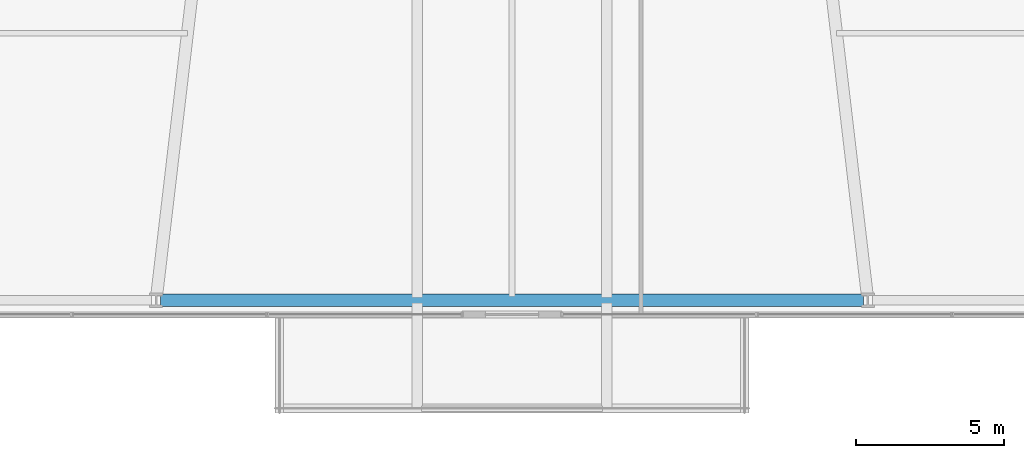
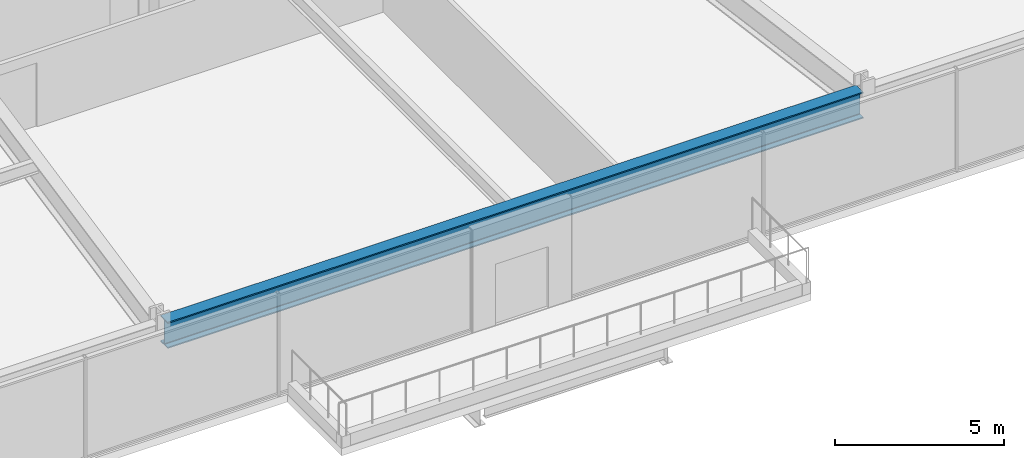
# One storey, part 6 of 39: 1 beam.
"""IFC4 building model written with IfcOpenShell, lengths in metres."""

from ifc_helpers import new_model, si_unit, direction, frame, origin, origin_2d, place, context, subcontext, project, spatial, i_section, extrude, material, material_profile, profile_set, type_object, element, save


model = new_model("IFC4")

# Units and contexts
model_context = context("Model", 3, precision=1e-05, world=origin(), true_north=direction((0.0, 1.0)))
body_context = subcontext(model_context, "Body", "Model", "MODEL_VIEW")
ifc_project = project(units=[si_unit("LENGTHUNIT", "METRE"), si_unit("AREAUNIT", "SQUARE_METRE"), si_unit("VOLUMEUNIT", "CUBIC_METRE"), si_unit("PLANEANGLEUNIT", "RADIAN"), si_unit("MASSUNIT", "GRAM", prefix="KILO")], contexts=[model_context])

# Site, building, storey
site_placement = place(None, origin())
site = spatial("IfcSite", under=ifc_project, at=site_placement, CompositionType="ELEMENT")
building_placement = place(site_placement, origin())
building = spatial("IfcBuilding", under=site, at=building_placement, Name="Kolvaren Belvedere", CompositionType="ELEMENT")
storey_placement = place(building_placement, frame((0.0, 0.0, 15.199951171875)))
storey = spatial("IfcBuildingStorey", under=building, at=storey_placement, Name="L04", CompositionType="ELEMENT", Elevation=15.199951171875)

# Beam
ifc_material = material(Name="Structural steel ASTM A992 Grade 50", Category="steel")
ifc_material_profile = material_profile(ifc_material, i_section(OverallWidth=0.423095703125, OverallDepth=0.947998046875, WebThickness=0.02392578125, FlangeThickness=0.042724609375, FilletRadius=0.028076171875, at=origin_2d()), Name="W36X302")
ifc_profile_set = profile_set([ifc_material_profile], Name="Structural steel ASTM A992 Grade 50")
beam_type = type_object("IfcBeamType", Name="BM-ARCH-W36X302", PredefinedType="BEAM", material=ifc_profile_set)
beam_placement = place(storey_placement, frame((-11.85009765625, -27.800048828125, 3.22607421875), z_axis=(1.0, 0.0, 0.0), x_axis=(0.0, 1.0, 0.0)))
element("IfcBeam", 1, at=beam_placement, inside=storey, type_object=beam_type, Name="L04 South Portal Header Spandrel", PredefinedType="SPANDREL", context=body_context, shape_type="SweptSolid", body=[
    extrude(i_section(OverallWidth=0.423095703125, OverallDepth=0.947998046875, WebThickness=0.02392578125, FlangeThickness=0.042724609375, FilletRadius=0.028076171875, at=origin_2d()), origin(), (0.0, 0.0, 1.0), 23.7001953125),
])

save(model, "model.ifc")
